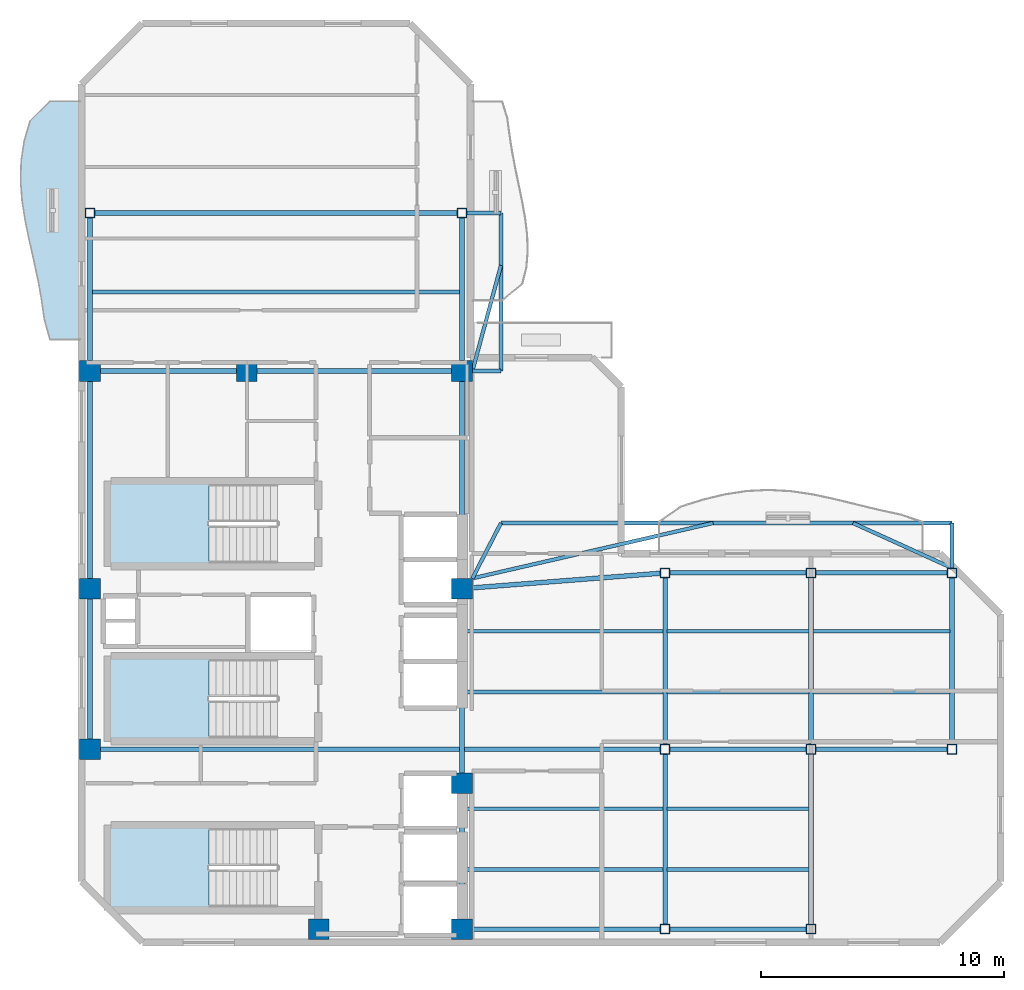
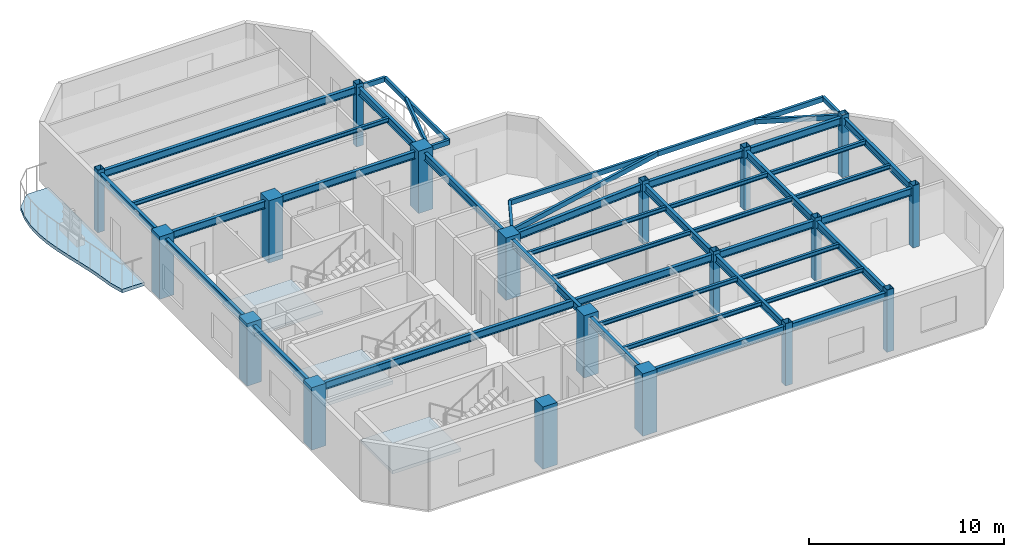
# One storey, part 1 of 8: 43 beams, 19 columns, 4 slabs, 3 elements without a shape of their own.
"""IFC4 building model written with IfcOpenShell, lengths in metres."""

from ifc_helpers import new_model, si_unit, direction, frame, origin, origin_2d, place, context, subcontext, project, spatial, polyline, rectangle, hollow_rectangle, i_section, outline, extrude, material, layer, layer_set, material_profile, profile_set, type_object, element, aggregate, save


model = new_model("IFC4")

# Units and contexts
model_context = context("Model", 3, precision=1e-05, world=origin(), true_north=direction((0.0, 1.0)))
body_context = subcontext(model_context, "Body", "Model", "MODEL_VIEW")
ifc_project = project(units=[si_unit("LENGTHUNIT", "METRE"), si_unit("AREAUNIT", "SQUARE_METRE"), si_unit("VOLUMEUNIT", "CUBIC_METRE"), si_unit("PLANEANGLEUNIT", "RADIAN"), si_unit("MASSUNIT", "GRAM", prefix="KILO")], contexts=[model_context])

# Site, building, storey
site_placement = place(None, origin())
site = spatial("IfcSite", under=ifc_project, at=site_placement, CompositionType="ELEMENT")
building_placement = place(site_placement, origin())
building = spatial("IfcBuilding", under=site, at=building_placement, Name="Mawjaban Terraces University", CompositionType="ELEMENT")
storey_placement = place(building_placement, frame((0.0, 0.0, 259.89990234375)))
storey = spatial("IfcBuildingStorey", under=building, at=storey_placement, Name="L63", CompositionType="ELEMENT", Elevation=259.89990234375)

# Columns
ifc_material_1 = material(Name="Concrete C50/60", Category="concrete")
ifc_material_profile_1 = material_profile(ifc_material_1, rectangle(XDim=0.85009765625, YDim=0.85009765625, at=origin_2d()), Name="RC850X850")
ifc_profile_set_1 = profile_set([ifc_material_profile_1], Name="Concrete C50/60")
column_type_1 = type_object("IfcColumnType", Name="Col_RC850X850", PredefinedType="COLUMN", material=ifc_profile_set_1)
for number, where, z_axis, x_axis, name in (
    (1, (31.75, 0.550048828125, 0.0), (0.0, 0.0, 1.0), (1.0, 0.0, 0.0), "L63 Column CC2"),
    (2, (37.64990234375, 0.550048828125, 0.0), (0.0, 0.0, 1.0), (1.0, 0.0, 0.0), "L63 Column CC3"),
    (3, (22.35009765625, 7.949951171875, 0.0), (0.0, 0.0, 1.0), (1.0, 0.0, 0.0), "L63 Column CC4"),
    (4, (37.64990234375, 6.550048828125, 0.0), (0.0, 0.0, 1.0), (1.0, 0.0, 0.0), "L63 Column CC5"),
    (5, (22.35009765625, 14.550048828125, 0.0), (0.0, 0.0, 1.0), (1.0, 0.0, 0.0), "L63 Column CC6"),
    (6, (37.64990234375, 14.550048828125, 0.0), (0.0, 0.0, 1.0), (1.0, 0.0, 0.0), "L63 Column CC7"),
    (7, (22.35009765625, 23.5, 0.0), (0.0, 0.0, 1.0), (1.0, 0.0, 0.0), "L63 Column CC8"),
    (8, (28.800048828125, 23.5, 0.0), (0.0, 0.0, 1.0), (1.0, 0.0, 0.0), "L63 Column CC9"),
    (9, (37.64990234375, 23.5, 0.0), (0.0, 0.0, 1.0), (1.0, 0.0, 0.0), "L63 Column CC10"),
):
    element("IfcColumn", number, at=place(storey_placement, frame(where, z_axis=z_axis, x_axis=x_axis)), inside=storey, type_object=column_type_1, Name=name, PredefinedType="COLUMN", context=body_context, shape_type="SweptSolid", body=[
        extrude(rectangle(XDim=0.85009765625, YDim=0.85009765625, at=origin_2d()), origin(), (0.0, 0.0, 1.0), 3.900146484375),
    ])
ifc_material_2 = material(Name="Steel EN 10210-1 S355J2H", Category="steel")
ifc_material_profile_2 = material_profile(ifc_material_2, hollow_rectangle(XDim=0.39990234375, YDim=0.39990234375, WallThickness=0.02001953125, at=origin_2d()), Name="SHS400X400X20")
ifc_profile_set_2 = profile_set([ifc_material_profile_2], Name="Steel EN 10210-1 S355J2H")
column_type_2 = type_object("IfcColumnType", Name="Col_SHS400X400X20", PredefinedType="COLUMN", material=ifc_profile_set_2)
for number, where, z_axis, x_axis, name in (
    (10, (46.0, 0.550048828125, 0.0), (0.0, 0.0, 1.0), (1.0, 0.0, 0.0), "L63 Column TE-460-005"),
    (11, (46.0, 7.949951171875, 0.0), (0.0, 0.0, 1.0), (1.0, 0.0, 0.0), "L63 Column TE-460-080"),
    (12, (46.0, 15.199951171875, 0.0), (0.0, 0.0, 1.0), (1.0, 0.0, 0.0), "L63 Column TE-460-152"),
    (13, (52.0, 0.550048828125, 0.0), (0.0, 0.0, 1.0), (1.0, 0.0, 0.0), "L63 Column TE-520-005"),
    (14, (52.0, 7.949951171875, 0.0), (0.0, 0.0, 1.0), (1.0, 0.0, 0.0), "L63 Column TE-520-080"),
    (15, (52.0, 15.199951171875, 0.0), (0.0, 0.0, 1.0), (1.0, 0.0, 0.0), "L63 Column TE-520-152"),
    (16, (57.800048828125, 7.949951171875, 0.0), (0.0, 0.0, 1.0), (1.0, 0.0, 0.0), "L63 Column TE-578-080"),
    (17, (57.800048828125, 15.199951171875, 0.0), (0.0, 0.0, 1.0), (1.0, 0.0, 0.0), "L63 Column TE-578-152"),
    (18, (22.35009765625, 30.0, 0.0), (0.0, 0.0, 1.0), (1.0, 0.0, 0.0), "L63 Column TN-223-300"),
    (19, (37.64990234375, 30.0, 0.0), (0.0, 0.0, 1.0), (1.0, 0.0, 0.0), "L63 Column TN-376-300"),
):
    element("IfcColumn", number, at=place(storey_placement, frame(where, z_axis=z_axis, x_axis=x_axis)), inside=storey, type_object=column_type_2, Name=name, PredefinedType="COLUMN", context=body_context, shape_type="SweptSolid", body=[
        extrude(hollow_rectangle(XDim=0.39990234375, YDim=0.39990234375, WallThickness=0.02001953125, at=origin_2d()), origin(), (0.0, 0.0, 1.0), 3.900146484375),
    ])

# Beams
ifc_material_profile_3 = material_profile(ifc_material_2, hollow_rectangle(XDim=0.14990234375, YDim=0.300048828125, WallThickness=0.012451171875, at=origin_2d()), Name="RHS300X150X12.5")
ifc_profile_set_3 = profile_set([ifc_material_profile_3], Name="Steel EN 10210-1 S355J2H")
beam_type_1 = type_object("IfcBeamType", Name="BalconyCantileverSpandrel_RHS", PredefinedType="SPANDREL", material=ifc_profile_set_3)
beam_1_placement = place(storey_placement, frame((38.074951171875, 14.97509765625, 3.5400390625), z_axis=(0.458922210771, 0.88847645127, 0.0), x_axis=(-0.88847645127, 0.458922210771, 0.0)))
element("IfcBeam", 20, at=beam_1_placement, inside=storey, type_object=beam_type_1, Name="L63 Corner Outrigger BAL-L64-N", PredefinedType="SPANDREL", context=body_context, shape_type="SweptSolid", body=[
    extrude(hollow_rectangle(XDim=0.14990234375, YDim=0.300048828125, WallThickness=0.012451171875, at=origin_2d()), origin(), (0.0, 0.0, 1.0), 2.560546875),
])
beam_2_placement = place(storey_placement, frame((57.800048828125, 15.39990234375, 3.5400390625), z_axis=(0.0, 1.0, 0.0), x_axis=(-1.0, 0.0, 0.0)))
element("IfcBeam", 21, at=beam_2_placement, inside=storey, type_object=beam_type_1, Name="L63 Exterior Outrigger BAL-L64-N.2", PredefinedType="SPANDREL", context=body_context, shape_type="SweptSolid", body=[
    extrude(hollow_rectangle(XDim=0.14990234375, YDim=0.300048828125, WallThickness=0.012451171875, at=origin_2d()), origin(), (0.0, 0.0, 1.0), 1.85009765625),
])
beam_3_placement = place(storey_placement, frame((39.25, 17.25, 3.5400390625), z_axis=(1.0, 0.0, 0.0), x_axis=(0.0, 1.0, 0.0)))
element("IfcBeam", 22, at=beam_3_placement, inside=storey, type_object=beam_type_1, Name="L63 Exterior Edge Spandrel BAL-L64-N", PredefinedType="SPANDREL", context=body_context, shape_type="SweptSolid", body=[
    extrude(hollow_rectangle(XDim=0.14990234375, YDim=0.300048828125, WallThickness=0.012451171875, at=origin_2d()), origin(), (0.0, 0.0, 1.0), 18.550048828125),
])
beam_4_placement = place(storey_placement, frame((38.074951171875, 14.97509765625, 3.5400390625), z_axis=(0.974600999447, 0.223948413426, 0.0), x_axis=(-0.223948413426, 0.974600999447, 0.0)))
element("IfcBeam", 23, at=beam_4_placement, inside=storey, type_object=beam_type_1, Name="L63 Exterior Diagonal Strut BAL-L64-N.1", PredefinedType="SPANDREL", context=body_context, shape_type="SweptSolid", body=[
    extrude(hollow_rectangle(XDim=0.14990234375, YDim=0.300048828125, WallThickness=0.012451171875, at=origin_2d()), origin(), (0.0, 0.0, 1.0), 10.158203125),
])
beam_5_placement = place(storey_placement, frame((57.800048828125, 15.39990234375, 3.5400390625), z_axis=(-0.910547611438, 0.413404217811, 0.0), x_axis=(-0.413404217811, -0.910547611438, 0.0)))
element("IfcBeam", 24, at=beam_5_placement, inside=storey, type_object=beam_type_1, Name="L63 Exterior Diagonal Strut BAL-L64-N.2", PredefinedType="SPANDREL", context=body_context, shape_type="SweptSolid", body=[
    extrude(hollow_rectangle(XDim=0.14990234375, YDim=0.300048828125, WallThickness=0.012451171875, at=origin_2d()), origin(), (0.0, 0.0, 1.0), 4.475341796875),
])
beam_6_placement = place(storey_placement, frame((38.074951171875, 23.5, 3.5400390625), z_axis=(1.0, 0.0, 0.0), x_axis=(0.0, 1.0, 0.0)))
element("IfcBeam", 25, at=beam_6_placement, inside=storey, type_object=beam_type_1, Name="L63 Exterior Outrigger BAL-L64-E.1", PredefinedType="SPANDREL", context=body_context, shape_type="SweptSolid", body=[
    extrude(hollow_rectangle(XDim=0.14990234375, YDim=0.300048828125, WallThickness=0.012451171875, at=origin_2d()), origin(), (0.0, 0.0, 1.0), 1.175048828125),
])
beam_7_placement = place(storey_placement, frame((37.85009765625, 30.0, 3.5400390625), z_axis=(1.0, 0.0, 0.0), x_axis=(0.0, 1.0, 0.0)))
element("IfcBeam", 26, at=beam_7_placement, inside=storey, type_object=beam_type_1, Name="L63 Exterior Outrigger BAL-L64-E.2", PredefinedType="SPANDREL", context=body_context, shape_type="SweptSolid", body=[
    extrude(hollow_rectangle(XDim=0.14990234375, YDim=0.300048828125, WallThickness=0.012451171875, at=origin_2d()), origin(), (0.0, 0.0, 1.0), 1.39990234375),
])
beam_8_placement = place(storey_placement, frame((39.25, 23.5, 3.5400390625), z_axis=(0.0, 1.0, 0.0), x_axis=(-1.0, 0.0, 0.0)))
element("IfcBeam", 27, at=beam_8_placement, inside=storey, type_object=beam_type_1, Name="L63 Exterior Edge Spandrel BAL-L64-E", PredefinedType="SPANDREL", context=body_context, shape_type="SweptSolid", body=[
    extrude(hollow_rectangle(XDim=0.14990234375, YDim=0.300048828125, WallThickness=0.012451171875, at=origin_2d()), origin(), (0.0, 0.0, 1.0), 6.5),
])
beam_9_placement = place(storey_placement, frame((38.074951171875, 23.5, 3.5400390625), z_axis=(0.261060667061, 0.965322395945, 0.0), x_axis=(-0.965322395945, 0.261060667061, 0.0)))
element("IfcBeam", 28, at=beam_9_placement, inside=storey, type_object=beam_type_1, Name="L63 Exterior Diagonal Strut BAL-L64-E.1", PredefinedType="SPANDREL", context=body_context, shape_type="SweptSolid", body=[
    extrude(hollow_rectangle(XDim=0.14990234375, YDim=0.300048828125, WallThickness=0.012451171875, at=origin_2d()), origin(), (0.0, 0.0, 1.0), 4.5009765625),
])
ifc_material_3 = material(Name="Steel ASTM A572 Grade 50", Category="steel")
ifc_material_profile_4 = material_profile(ifc_material_3, i_section(OverallWidth=0.19189453125, OverallDepth=0.462890625, WebThickness=0.010498046875, FlangeThickness=0.017578125, at=origin_2d()), Name="W460X89")
ifc_profile_set_4 = profile_set([ifc_material_profile_4], Name="Steel ASTM A572 Grade 50")
beam_type_2 = type_object("IfcBeamType", Name="Beam_B_W460X89", PredefinedType="BEAM", material=ifc_profile_set_4)
beam_10_placement = place(storey_placement, frame((38.074951171875, 0.550048828125, 3.4580078125), z_axis=(1.0, 0.0, 0.0), x_axis=(0.0, 1.0, 0.0)))
element("IfcBeam", 29, at=beam_10_placement, inside=storey, type_object=beam_type_2, Name="L63 Beam BM-L63-EW-01", PredefinedType="BEAM", context=body_context, shape_type="SweptSolid", body=[
    extrude(i_section(OverallWidth=0.19189453125, OverallDepth=0.462890625, WebThickness=0.010498046875, FlangeThickness=0.017578125, at=origin_2d()), origin(), (0.0, 0.0, 1.0), 7.72509765625),
])
beam_11_placement = place(storey_placement, frame((46.199951171875, 0.550048828125, 3.4580078125), z_axis=(1.0, 0.0, 0.0), x_axis=(0.0, 1.0, 0.0)))
element("IfcBeam", 30, at=beam_11_placement, inside=storey, type_object=beam_type_2, Name="L63 Beam BM-L63-EW-02", PredefinedType="BEAM", context=body_context, shape_type="SweptSolid", body=[
    extrude(i_section(OverallWidth=0.19189453125, OverallDepth=0.462890625, WebThickness=0.010498046875, FlangeThickness=0.017578125, at=origin_2d()), origin(), (0.0, 0.0, 1.0), 5.60009765625),
])
beam_12_placement = place(storey_placement, frame((22.77490234375, 7.949951171875, 3.4580078125), z_axis=(1.0, 0.0, 0.0), x_axis=(0.0, 1.0, 0.0)))
element("IfcBeam", 31, at=beam_12_placement, inside=storey, type_object=beam_type_2, Name="L63 Beam BM-L63-EW-03", PredefinedType="BEAM", context=body_context, shape_type="SweptSolid", body=[
    extrude(i_section(OverallWidth=0.19189453125, OverallDepth=0.462890625, WebThickness=0.010498046875, FlangeThickness=0.017578125, at=origin_2d()), origin(), (0.0, 0.0, 1.0), 23.025146484375),
])
beam_13_placement = place(storey_placement, frame((46.199951171875, 7.949951171875, 3.4580078125), z_axis=(1.0, 0.0, 0.0), x_axis=(0.0, 1.0, 0.0)))
element("IfcBeam", 32, at=beam_13_placement, inside=storey, type_object=beam_type_2, Name="L63 Beam BM-L63-EW-04", PredefinedType="BEAM", context=body_context, shape_type="SweptSolid", body=[
    extrude(i_section(OverallWidth=0.19189453125, OverallDepth=0.462890625, WebThickness=0.010498046875, FlangeThickness=0.017578125, at=origin_2d()), origin(), (0.0, 0.0, 1.0), 5.60009765625),
])
beam_14_placement = place(storey_placement, frame((52.199951171875, 7.949951171875, 3.4580078125), z_axis=(1.0, 0.0, 0.0), x_axis=(0.0, 1.0, 0.0)))
element("IfcBeam", 33, at=beam_14_placement, inside=storey, type_object=beam_type_2, Name="L63 Beam BM-L63-EW-05", PredefinedType="BEAM", context=body_context, shape_type="SweptSolid", body=[
    extrude(i_section(OverallWidth=0.19189453125, OverallDepth=0.462890625, WebThickness=0.010498046875, FlangeThickness=0.017578125, at=origin_2d()), origin(), (0.0, 0.0, 1.0), 5.400146484375),
])
beam_15_placement = place(storey_placement, frame((46.199951171875, 15.199951171875, 3.4580078125), z_axis=(1.0, 0.0, 0.0), x_axis=(0.0, 1.0, 0.0)))
element("IfcBeam", 34, at=beam_15_placement, inside=storey, type_object=beam_type_2, Name="L63 Beam BM-L63-EW-06", PredefinedType="BEAM", context=body_context, shape_type="SweptSolid", body=[
    extrude(i_section(OverallWidth=0.19189453125, OverallDepth=0.462890625, WebThickness=0.010498046875, FlangeThickness=0.017578125, at=origin_2d()), origin(), (0.0, 0.0, 1.0), 5.60009765625),
])
beam_16_placement = place(storey_placement, frame((52.199951171875, 15.199951171875, 3.4580078125), z_axis=(1.0, 0.0, 0.0), x_axis=(0.0, 1.0, 0.0)))
element("IfcBeam", 35, at=beam_16_placement, inside=storey, type_object=beam_type_2, Name="L63 Beam BM-L63-EW-07", PredefinedType="BEAM", context=body_context, shape_type="SweptSolid", body=[
    extrude(i_section(OverallWidth=0.19189453125, OverallDepth=0.462890625, WebThickness=0.010498046875, FlangeThickness=0.017578125, at=origin_2d()), origin(), (0.0, 0.0, 1.0), 5.400146484375),
])
beam_17_placement = place(storey_placement, frame((22.77490234375, 23.5, 3.4580078125), z_axis=(1.0, 0.0, 0.0), x_axis=(0.0, 1.0, 0.0)))
element("IfcBeam", 36, at=beam_17_placement, inside=storey, type_object=beam_type_2, Name="L63 Beam BM-L63-EW-08", PredefinedType="BEAM", context=body_context, shape_type="SweptSolid", body=[
    extrude(i_section(OverallWidth=0.19189453125, OverallDepth=0.462890625, WebThickness=0.010498046875, FlangeThickness=0.017578125, at=origin_2d()), origin(), (0.0, 0.0, 1.0), 5.60009765625),
])
beam_18_placement = place(storey_placement, frame((29.22509765625, 23.5, 3.4580078125), z_axis=(1.0, 0.0, 0.0), x_axis=(0.0, 1.0, 0.0)))
element("IfcBeam", 37, at=beam_18_placement, inside=storey, type_object=beam_type_2, Name="L63 Beam BM-L63-EW-09", PredefinedType="BEAM", context=body_context, shape_type="SweptSolid", body=[
    extrude(i_section(OverallWidth=0.19189453125, OverallDepth=0.462890625, WebThickness=0.010498046875, FlangeThickness=0.017578125, at=origin_2d()), origin(), (0.0, 0.0, 1.0), 8.0),
])
beam_19_placement = place(storey_placement, frame((22.550048828125, 30.0, 3.4580078125), z_axis=(1.0, 0.0, 0.0), x_axis=(0.0, 1.0, 0.0)))
element("IfcBeam", 38, at=beam_19_placement, inside=storey, type_object=beam_type_2, Name="L63 Beam BM-L63-EW-10", PredefinedType="BEAM", context=body_context, shape_type="SweptSolid", body=[
    extrude(i_section(OverallWidth=0.19189453125, OverallDepth=0.462890625, WebThickness=0.010498046875, FlangeThickness=0.017578125, at=origin_2d()), origin(), (0.0, 0.0, 1.0), 14.89990234375),
])
beam_20_placement = place(storey_placement, frame((22.35009765625, 8.375, 3.4580078125), z_axis=(0.0, 1.0, 0.0), x_axis=(-1.0, 0.0, 0.0)))
element("IfcBeam", 39, at=beam_20_placement, inside=storey, type_object=beam_type_2, Name="L63 Beam BM-L63-NS-01", PredefinedType="BEAM", context=body_context, shape_type="SweptSolid", body=[
    extrude(i_section(OverallWidth=0.19189453125, OverallDepth=0.462890625, WebThickness=0.010498046875, FlangeThickness=0.017578125, at=origin_2d()), origin(), (0.0, 0.0, 1.0), 5.75),
])
beam_21_placement = place(storey_placement, frame((22.35009765625, 14.97509765625, 3.4580078125), z_axis=(0.0, 1.0, 0.0), x_axis=(-1.0, 0.0, 0.0)))
element("IfcBeam", 40, at=beam_21_placement, inside=storey, type_object=beam_type_2, Name="L63 Beam BM-L63-NS-02", PredefinedType="BEAM", context=body_context, shape_type="SweptSolid", body=[
    extrude(i_section(OverallWidth=0.19189453125, OverallDepth=0.462890625, WebThickness=0.010498046875, FlangeThickness=0.017578125, at=origin_2d()), origin(), (0.0, 0.0, 1.0), 8.099853515625),
])
beam_22_placement = place(storey_placement, frame((22.35009765625, 23.925048828125, 3.4580078125), z_axis=(0.0, 1.0, 0.0), x_axis=(-1.0, 0.0, 0.0)))
element("IfcBeam", 41, at=beam_22_placement, inside=storey, type_object=beam_type_2, Name="L63 Beam BM-L63-NS-03", PredefinedType="BEAM", context=body_context, shape_type="SweptSolid", body=[
    extrude(i_section(OverallWidth=0.19189453125, OverallDepth=0.462890625, WebThickness=0.010498046875, FlangeThickness=0.017578125, at=origin_2d()), origin(), (0.0, 0.0, 1.0), 5.875),
])
beam_23_placement = place(storey_placement, frame((37.64990234375, 0.97509765625, 3.4580078125), z_axis=(0.0, 1.0, 0.0), x_axis=(-1.0, 0.0, 0.0)))
element("IfcBeam", 42, at=beam_23_placement, inside=storey, type_object=beam_type_2, Name="L63 Beam BM-L63-NS-04", PredefinedType="BEAM", context=body_context, shape_type="SweptSolid", body=[
    extrude(i_section(OverallWidth=0.19189453125, OverallDepth=0.462890625, WebThickness=0.010498046875, FlangeThickness=0.017578125, at=origin_2d()), origin(), (0.0, 0.0, 1.0), 5.14990234375),
])
beam_24_placement = place(storey_placement, frame((37.64990234375, 6.97509765625, 3.4580078125), z_axis=(0.0, 1.0, 0.0), x_axis=(-1.0, 0.0, 0.0)))
element("IfcBeam", 43, at=beam_24_placement, inside=storey, type_object=beam_type_2, Name="L63 Beam BM-L63-NS-05", PredefinedType="BEAM", context=body_context, shape_type="SweptSolid", body=[
    extrude(i_section(OverallWidth=0.19189453125, OverallDepth=0.462890625, WebThickness=0.010498046875, FlangeThickness=0.017578125, at=origin_2d()), origin(), (0.0, 0.0, 1.0), 7.14990234375),
])
beam_25_placement = place(storey_placement, frame((37.64990234375, 14.97509765625, 3.4580078125), z_axis=(0.0, 1.0, 0.0), x_axis=(-1.0, 0.0, 0.0)))
element("IfcBeam", 44, at=beam_25_placement, inside=storey, type_object=beam_type_2, Name="L63 Beam BM-L63-NS-06", PredefinedType="BEAM", context=body_context, shape_type="SweptSolid", body=[
    extrude(i_section(OverallWidth=0.19189453125, OverallDepth=0.462890625, WebThickness=0.010498046875, FlangeThickness=0.017578125, at=origin_2d()), origin(), (0.0, 0.0, 1.0), 8.099853515625),
])
beam_26_placement = place(storey_placement, frame((37.64990234375, 23.925048828125, 3.4580078125), z_axis=(0.0, 1.0, 0.0), x_axis=(-1.0, 0.0, 0.0)))
element("IfcBeam", 45, at=beam_26_placement, inside=storey, type_object=beam_type_2, Name="L63 Beam BM-L63-NS-07", PredefinedType="BEAM", context=body_context, shape_type="SweptSolid", body=[
    extrude(i_section(OverallWidth=0.19189453125, OverallDepth=0.462890625, WebThickness=0.010498046875, FlangeThickness=0.017578125, at=origin_2d()), origin(), (0.0, 0.0, 1.0), 5.875),
])
beam_27_placement = place(storey_placement, frame((46.0, 0.75, 3.4580078125), z_axis=(0.0, 1.0, 0.0), x_axis=(-1.0, 0.0, 0.0)))
element("IfcBeam", 46, at=beam_27_placement, inside=storey, type_object=beam_type_2, Name="L63 Beam BM-L63-NS-08", PredefinedType="BEAM", context=body_context, shape_type="SweptSolid", body=[
    extrude(i_section(OverallWidth=0.19189453125, OverallDepth=0.462890625, WebThickness=0.010498046875, FlangeThickness=0.017578125, at=origin_2d()), origin(), (0.0, 0.0, 1.0), 7.0),
])
beam_28_placement = place(storey_placement, frame((46.0, 8.14990234375, 3.4580078125), z_axis=(0.0, 1.0, 0.0), x_axis=(-1.0, 0.0, 0.0)))
element("IfcBeam", 47, at=beam_28_placement, inside=storey, type_object=beam_type_2, Name="L63 Beam BM-L63-NS-09", PredefinedType="BEAM", context=body_context, shape_type="SweptSolid", body=[
    extrude(i_section(OverallWidth=0.19189453125, OverallDepth=0.462890625, WebThickness=0.010498046875, FlangeThickness=0.017578125, at=origin_2d()), origin(), (0.0, 0.0, 1.0), 6.85009765625),
])
beam_29_placement = place(storey_placement, frame((52.0, 0.75, 3.4580078125), z_axis=(0.0, 1.0, 0.0), x_axis=(-1.0, 0.0, 0.0)))
element("IfcBeam", 48, at=beam_29_placement, inside=storey, type_object=beam_type_2, Name="L63 Beam BM-L63-NS-10", PredefinedType="BEAM", context=body_context, shape_type="SweptSolid", body=[
    extrude(i_section(OverallWidth=0.19189453125, OverallDepth=0.462890625, WebThickness=0.010498046875, FlangeThickness=0.017578125, at=origin_2d()), origin(), (0.0, 0.0, 1.0), 7.0),
])
for number, where, z_axis, x_axis, name in (
    (49, (52.0, 8.14990234375, 3.4580078125), (0.0, 1.0, 0.0), (-1.0, 0.0, 0.0), "L63 Beam BM-L63-NS-11"),
    (50, (57.800048828125, 8.14990234375, 3.4580078125), (0.0, 1.0, 0.0), (-1.0, 0.0, 0.0), "L63 Beam BM-L63-NS-12"),
):
    element("IfcBeam", number, at=place(storey_placement, frame(where, z_axis=z_axis, x_axis=x_axis)), inside=storey, type_object=beam_type_2, Name=name, PredefinedType="BEAM", context=body_context, shape_type="SweptSolid", body=[
        extrude(i_section(OverallWidth=0.19189453125, OverallDepth=0.462890625, WebThickness=0.010498046875, FlangeThickness=0.017578125, at=origin_2d()), origin(), (0.0, 0.0, 1.0), 6.85009765625),
    ])
beam_30_placement = place(storey_placement, frame((38.073974609375, 14.5830078125, 3.4580078125), z_axis=(0.996988151141, 0.077554023005, 0.0), x_axis=(-0.077554023005, 0.996988151141, 0.0)))
element("IfcBeam", 51, at=beam_30_placement, inside=storey, type_object=beam_type_2, Name="L63 Beam BM-L63-CTIE", PredefinedType="BEAM", context=body_context, shape_type="SweptSolid", body=[
    extrude(i_section(OverallWidth=0.19189453125, OverallDepth=0.462890625, WebThickness=0.010498046875, FlangeThickness=0.017578125, at=origin_2d()), origin(), (0.0, 0.0, 1.0), 7.75048828125),
])
ifc_material_profile_5 = material_profile(ifc_material_3, i_section(OverallWidth=0.14794921875, OverallDepth=0.26611328125, WebThickness=0.007568359375, FlangeThickness=0.012939453125, at=origin_2d()), Name="W250X45")
ifc_profile_set_5 = profile_set([ifc_material_profile_5], Name="Steel ASTM A572 Grade 50")
beam_type_3 = type_object("IfcBeamType", Name="Beam_J_W250X45", PredefinedType="JOIST", material=ifc_profile_set_5)
beam_31_placement = place(storey_placement, frame((37.72998046875, 3.0, 3.55712890625), z_axis=(1.0, 0.0, 0.0), x_axis=(0.0, 1.0, 0.0)))
element("IfcBeam", 52, at=beam_31_placement, inside=storey, type_object=beam_type_3, Name="L63 Composite Joist JST-L63-01", PredefinedType="JOIST", context=body_context, shape_type="SweptSolid", body=[
    extrude(i_section(OverallWidth=0.14794921875, OverallDepth=0.26611328125, WebThickness=0.007568359375, FlangeThickness=0.012939453125, at=origin_2d()), origin(), (0.0, 0.0, 1.0), 8.18994140625),
])
beam_32_placement = place(storey_placement, frame((46.080078125, 3.0, 3.55712890625), z_axis=(1.0, 0.0, 0.0), x_axis=(0.0, 1.0, 0.0)))
element("IfcBeam", 53, at=beam_32_placement, inside=storey, type_object=beam_type_3, Name="L63 Composite Joist JST-L63-02", PredefinedType="JOIST", context=body_context, shape_type="SweptSolid", body=[
    extrude(i_section(OverallWidth=0.14794921875, OverallDepth=0.26611328125, WebThickness=0.007568359375, FlangeThickness=0.012939453125, at=origin_2d()), origin(), (0.0, 0.0, 1.0), 5.83984375),
])
beam_33_placement = place(storey_placement, frame((37.72998046875, 5.5, 3.55712890625), z_axis=(1.0, 0.0, 0.0), x_axis=(0.0, 1.0, 0.0)))
element("IfcBeam", 54, at=beam_33_placement, inside=storey, type_object=beam_type_3, Name="L63 Composite Joist JST-L63-03", PredefinedType="JOIST", context=body_context, shape_type="SweptSolid", body=[
    extrude(i_section(OverallWidth=0.14794921875, OverallDepth=0.26611328125, WebThickness=0.007568359375, FlangeThickness=0.012939453125, at=origin_2d()), origin(), (0.0, 0.0, 1.0), 8.18994140625),
])
beam_34_placement = place(storey_placement, frame((46.080078125, 5.5, 3.55712890625), z_axis=(1.0, 0.0, 0.0), x_axis=(0.0, 1.0, 0.0)))
element("IfcBeam", 55, at=beam_34_placement, inside=storey, type_object=beam_type_3, Name="L63 Composite Joist JST-L63-04", PredefinedType="JOIST", context=body_context, shape_type="SweptSolid", body=[
    extrude(i_section(OverallWidth=0.14794921875, OverallDepth=0.26611328125, WebThickness=0.007568359375, FlangeThickness=0.012939453125, at=origin_2d()), origin(), (0.0, 0.0, 1.0), 5.83984375),
])
beam_35_placement = place(storey_placement, frame((37.72998046875, 10.300048828125, 3.55712890625), z_axis=(1.0, 0.0, 0.0), x_axis=(0.0, 1.0, 0.0)))
element("IfcBeam", 56, at=beam_35_placement, inside=storey, type_object=beam_type_3, Name="L63 Composite Joist JST-L63-05", PredefinedType="JOIST", context=body_context, shape_type="SweptSolid", body=[
    extrude(i_section(OverallWidth=0.14794921875, OverallDepth=0.26611328125, WebThickness=0.007568359375, FlangeThickness=0.012939453125, at=origin_2d()), origin(), (0.0, 0.0, 1.0), 8.18994140625),
])
beam_36_placement = place(storey_placement, frame((46.080078125, 10.300048828125, 3.55712890625), z_axis=(1.0, 0.0, 0.0), x_axis=(0.0, 1.0, 0.0)))
element("IfcBeam", 57, at=beam_36_placement, inside=storey, type_object=beam_type_3, Name="L63 Composite Joist JST-L63-06", PredefinedType="JOIST", context=body_context, shape_type="SweptSolid", body=[
    extrude(i_section(OverallWidth=0.14794921875, OverallDepth=0.26611328125, WebThickness=0.007568359375, FlangeThickness=0.012939453125, at=origin_2d()), origin(), (0.0, 0.0, 1.0), 5.83984375),
])
beam_37_placement = place(storey_placement, frame((52.080078125, 10.300048828125, 3.55712890625), z_axis=(1.0, 0.0, 0.0), x_axis=(0.0, 1.0, 0.0)))
element("IfcBeam", 58, at=beam_37_placement, inside=storey, type_object=beam_type_3, Name="L63 Composite Joist JST-L63-07", PredefinedType="JOIST", context=body_context, shape_type="SweptSolid", body=[
    extrude(i_section(OverallWidth=0.14794921875, OverallDepth=0.26611328125, WebThickness=0.007568359375, FlangeThickness=0.012939453125, at=origin_2d()), origin(), (0.0, 0.0, 1.0), 5.639892578125),
])
beam_38_placement = place(storey_placement, frame((37.72998046875, 12.800048828125, 3.55712890625), z_axis=(1.0, 0.0, 0.0), x_axis=(0.0, 1.0, 0.0)))
element("IfcBeam", 59, at=beam_38_placement, inside=storey, type_object=beam_type_3, Name="L63 Composite Joist JST-L63-08", PredefinedType="JOIST", context=body_context, shape_type="SweptSolid", body=[
    extrude(i_section(OverallWidth=0.14794921875, OverallDepth=0.26611328125, WebThickness=0.007568359375, FlangeThickness=0.012939453125, at=origin_2d()), origin(), (0.0, 0.0, 1.0), 8.18994140625),
])
beam_39_placement = place(storey_placement, frame((46.080078125, 12.800048828125, 3.55712890625), z_axis=(1.0, 0.0, 0.0), x_axis=(0.0, 1.0, 0.0)))
element("IfcBeam", 60, at=beam_39_placement, inside=storey, type_object=beam_type_3, Name="L63 Composite Joist JST-L63-09", PredefinedType="JOIST", context=body_context, shape_type="SweptSolid", body=[
    extrude(i_section(OverallWidth=0.14794921875, OverallDepth=0.26611328125, WebThickness=0.007568359375, FlangeThickness=0.012939453125, at=origin_2d()), origin(), (0.0, 0.0, 1.0), 5.83984375),
])
beam_40_placement = place(storey_placement, frame((52.080078125, 12.800048828125, 3.55712890625), z_axis=(1.0, 0.0, 0.0), x_axis=(0.0, 1.0, 0.0)))
element("IfcBeam", 61, at=beam_40_placement, inside=storey, type_object=beam_type_3, Name="L63 Composite Joist JST-L63-10", PredefinedType="JOIST", context=body_context, shape_type="SweptSolid", body=[
    extrude(i_section(OverallWidth=0.14794921875, OverallDepth=0.26611328125, WebThickness=0.007568359375, FlangeThickness=0.012939453125, at=origin_2d()), origin(), (0.0, 0.0, 1.0), 5.639892578125),
])
beam_41_placement = place(storey_placement, frame((22.429931640625, 26.75, 3.55712890625), z_axis=(1.0, 0.0, 0.0), x_axis=(0.0, 1.0, 0.0)))
element("IfcBeam", 62, at=beam_41_placement, inside=storey, type_object=beam_type_3, Name="L63 Composite Joist JST-L63-11", PredefinedType="JOIST", context=body_context, shape_type="SweptSolid", body=[
    extrude(i_section(OverallWidth=0.14794921875, OverallDepth=0.26611328125, WebThickness=0.007568359375, FlangeThickness=0.012939453125, at=origin_2d()), origin(), (0.0, 0.0, 1.0), 15.14013671875),
])

# Slab
ifc_material_4 = material(Name="Concrete C40/50", Category="concrete")
ifc_layer_1 = layer(ifc_material_4, 0.2099609375)
ifc_layer_set_1 = layer_set([ifc_layer_1], Name="Concrete C40/50")
slab_type_1 = type_object("IfcSlabType", Name="BalconySlab_210_Ext", PredefinedType="FLOOR", material=ifc_layer_set_1)
slab_1_placement = place(storey_placement, frame((0.0, 0.0, -0.2099609375)))
element("IfcSlab", 63, at=slab_1_placement, inside=storey, type_object=slab_type_1, Name="L63 Planted Balcony Slab west", PredefinedType="FLOOR", context=body_context, shape_type="SweptSolid", body=[
    extrude(outline(polyline([(22.010009765625, 24.800048828125), (22.010009765625, 34.60009765625), (20.699951171875, 34.60009765625), (19.882080078125, 33.782958984375), (19.64208984375, 32.967041015625), (19.51904296875, 32.14990234375), (19.493896484375, 31.3330078125), (19.553955078125, 30.51708984375), (19.680908203125, 29.699951171875), (19.85009765625, 28.883056640625), (20.033935546875, 28.06689453125), (20.208984375, 27.25), (20.35595703125, 26.43310546875), (20.47412109375, 25.616943359375), (20.699951171875, 24.800048828125), (22.010009765625, 24.800048828125)])), origin(), (0.0, 0.0, 1.0), 0.2099609375),
])

# Stair, slab
stair_type = type_object("IfcStairType", Name="Stair_Core1550_H39", PredefinedType="HALF_TURN_STAIR", material=ifc_material_4)
stair_1_placement = place(storey_placement, origin())
stair_1 = element("IfcStair", 64, at=stair_1_placement, inside=storey, type_object=stair_type, Name="L63 Core Exit Stair 1", PredefinedType="HALF_TURN_STAIR")
ifc_layer_2 = layer(ifc_material_4, 0.199951171875)
ifc_layer_set_2 = layer_set([ifc_layer_2], Name="Concrete C40/50")
slab_type_2 = type_object("IfcSlabType", Name="StairLandingSlab_200", PredefinedType="LANDING", material=ifc_layer_set_2)
slab_2_placement = place(storey_placement, frame((0.0, 0.0, 1.75)))
slab_2 = element("IfcSlab", 65, at=slab_2_placement, type_object=slab_type_2, Name="ST-1 landing 1", PredefinedType="LANDING", context=body_context, shape_type="SweptSolid", body=[
    extrude(outline(polyline([(27.25, 4.699951171875), (23.199951171875, 4.699951171875), (23.199951171875, 1.449951171875), (27.25, 1.449951171875), (27.25, 4.699951171875)])), origin(), (0.0, 0.0, 1.0), 0.2001953125),
])
aggregate(stair_1, [slab_2])

stair_2_placement = place(storey_placement, origin())
stair_2 = element("IfcStair", 66, at=stair_2_placement, inside=storey, type_object=stair_type, Name="L63 Core Exit Stair 2", PredefinedType="HALF_TURN_STAIR")
slab_3_placement = place(storey_placement, frame((0.0, 0.0, 1.75)))
slab_3 = element("IfcSlab", 67, at=slab_3_placement, type_object=slab_type_2, Name="ST-2 landing 1", PredefinedType="LANDING", context=body_context, shape_type="SweptSolid", body=[
    extrude(outline(polyline([(27.25, 18.85009765625), (23.199951171875, 18.85009765625), (23.199951171875, 15.60009765625), (27.25, 15.60009765625), (27.25, 18.85009765625)])), origin(), (0.0, 0.0, 1.0), 0.2001953125),
])
aggregate(stair_2, [slab_3])

stair_3_placement = place(storey_placement, origin())
stair_3 = element("IfcStair", 68, at=stair_3_placement, inside=storey, type_object=stair_type, Name="L63 Core Exit Stair 3", PredefinedType="HALF_TURN_STAIR")
slab_4_placement = place(storey_placement, frame((0.0, 0.0, 1.75)))
slab_4 = element("IfcSlab", 69, at=slab_4_placement, type_object=slab_type_2, Name="ST-3 landing 1", PredefinedType="LANDING", context=body_context, shape_type="SweptSolid", body=[
    extrude(outline(polyline([(27.25, 11.64990234375), (23.199951171875, 11.64990234375), (23.199951171875, 8.39990234375), (27.25, 8.39990234375), (27.25, 11.64990234375)])), origin(), (0.0, 0.0, 1.0), 0.2001953125),
])
aggregate(stair_3, [slab_4])

save(model, "model.ifc")
